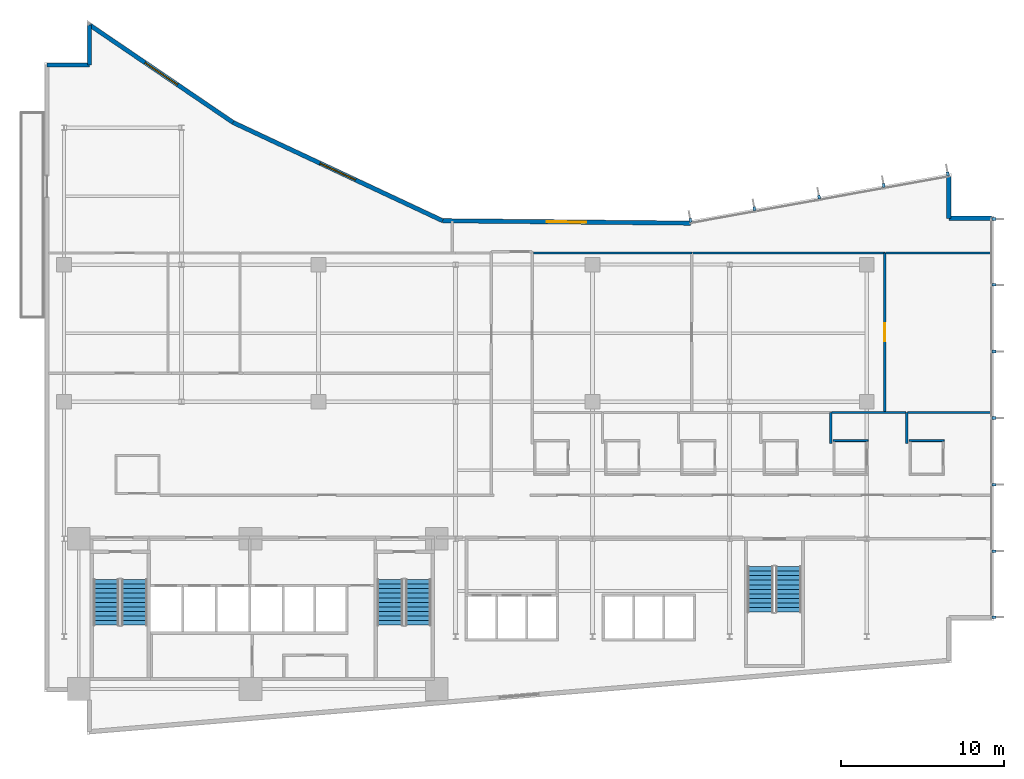
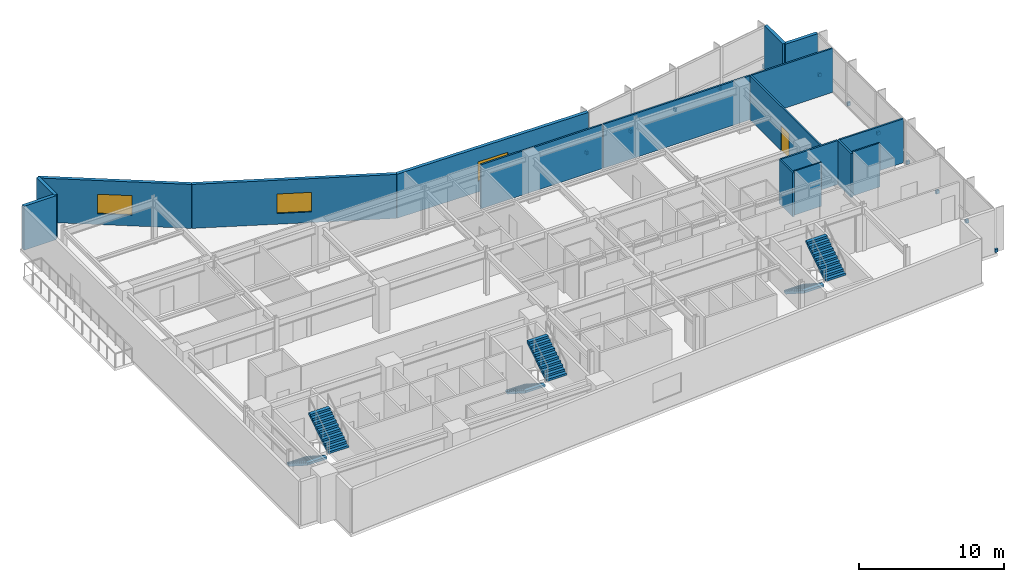
# One storey, part 15 of 20: 17 walls, 12 discrete accessories, 6 stair flights, 3 windows, 1 door, 4 openings, 3 elements without a shape of their own.
"""IFC4 building model written with IfcOpenShell, lengths in metres."""

from ifc_helpers import new_model, si_unit, direction, frame, frame_2d, origin, origin_2d, place, context, subcontext, project, spatial, polyline, rectangle, outline, extrude, material, layer, layer_set, type_object, element, fill, aggregate, save


model = new_model("IFC4")

# Units and contexts
model_context = context("Model", 3, precision=1e-05, world=origin(), true_north=direction((0.0, 1.0)))
body_context = subcontext(model_context, "Body", "Model", "MODEL_VIEW")
ifc_project = project(units=[si_unit("LENGTHUNIT", "METRE"), si_unit("AREAUNIT", "SQUARE_METRE"), si_unit("VOLUMEUNIT", "CUBIC_METRE"), si_unit("PLANEANGLEUNIT", "RADIAN"), si_unit("MASSUNIT", "GRAM", prefix="KILO")], contexts=[model_context])

# Site, building, storey
site_placement = place(None, origin())
site = spatial("IfcSite", under=ifc_project, at=site_placement, CompositionType="ELEMENT")
building_placement = place(site_placement, origin())
building = spatial("IfcBuilding", under=site, at=building_placement, Name="Varnakote Quay Hospital", CompositionType="ELEMENT")
storey_placement = place(building_placement, frame((0.0, 0.0, 81.75)))
storey = spatial("IfcBuildingStorey", under=building, at=storey_placement, Name="L20", CompositionType="ELEMENT", Elevation=81.75)

# Walls
ifc_material_1 = material(Name="Moisture-resistant bathroom partition", Category="gypsum")
ifc_layer_1 = layer(ifc_material_1, 0.114990234375)
ifc_layer_set_1 = layer_set([ifc_layer_1], Name="Moisture-resistant bathroom partition")
wall_type_1 = type_object("IfcWallType", Name="WL-ENS-115", PredefinedType="PARTITIONING", material=ifc_layer_set_1)
for number, where, z_axis, x_axis, name in (
    (1, (48.344970703125, 18.017578125, 0.0), (0.0, 0.0, 1.0), (1.0, 0.0, 0.0), "L20 Inpatient En-Suite Bathroom 05 N Wall"),
    (2, (53.0048828125, 18.017578125, 0.0), (0.0, 0.0, 1.0), (1.0, 0.0, 0.0), "L20 Inpatient En-Suite Bathroom 06 N Wall"),
):
    element("IfcWall", number, at=place(storey_placement, frame(where, z_axis=z_axis, x_axis=x_axis)), inside=storey, type_object=wall_type_1, Name=name, PredefinedType="PARTITIONING", context=body_context, shape_type="SweptSolid", body=[
        extrude(rectangle(XDim=2.150146484375, YDim=0.114990234375, at=frame_2d((1.0751953125, 0.0))), origin(), (0.0, 0.0, 1.0), 3.7099609375),
    ])
ifc_material_2 = material(Name="Precast concrete N50 (f'c 50 MPa)", Category="concrete")
ifc_layer_2 = layer(ifc_material_2, 0.260009765625)
ifc_layer_set_2 = layer_set([ifc_layer_2], Name="Precast concrete N50 (f'c 50 MPa)")
wall_type_2 = type_object("IfcWallType", Name="WL-EXT-BRICK-260", PredefinedType="STANDARD", material=ifc_layer_set_2)
wall_1_placement = place(storey_placement, frame((58.0400390625, 31.639892578125, 0.0), z_axis=(0.0, 0.0, 1.0), x_axis=(-1.0, 0.0, 0.0)))
element("IfcWall", 3, at=wall_1_placement, inside=storey, type_object=wall_type_2, Name="L20 Brick-Faced Precast Exterior Wall", PredefinedType="STANDARD", context=body_context, shape_type="SweptSolid", body=[
    extrude(rectangle(XDim=2.60009765625, YDim=0.260009765625, at=frame_2d((1.300048828125, 0.0))), origin(), (0.0, 0.0, 1.0), 3.7099609375),
])
wall_2_placement = place(storey_placement, frame((55.43994140625, 31.639892578125, 0.0), z_axis=(0.0, 0.0, 1.0), x_axis=(0.0, 1.0, 0.0)))
element("IfcWall", 4, at=wall_2_placement, inside=storey, type_object=wall_type_2, Name="L20 Brick-Faced Precast Exterior Wall", PredefinedType="STANDARD", context=body_context, shape_type="SweptSolid", body=[
    extrude(rectangle(XDim=2.568603515625, YDim=0.260009765625, at=frame_2d((1.2841796875, 0.0))), origin(), (0.0, 0.0, 1.0), 3.7099609375),
])

# Wall, opening, window
wall_3_placement = place(storey_placement, frame((39.589599609375, 31.343994140625, 0.0), z_axis=(0.0, 0.0, 1.0), x_axis=(-0.999952362926, 0.009760731435, 0.0)))
wall_3 = element("IfcWall", 5, at=wall_3_placement, inside=storey, type_object=wall_type_2, Name="L20 Brick-Faced Precast Exterior Wall", PredefinedType="STANDARD", context=body_context, shape_type="SweptSolid", body=[
    extrude(rectangle(XDim=15.1826171875, YDim=0.260009765625, at=frame_2d((7.59130859375, 0.0))), origin(), (0.0, 0.0, 1.0), 3.7099609375),
])
opening_1_placement = place(wall_3_placement, frame((6.391357421875, 0.0, 0.89990234375)))
opening_1 = element("IfcOpeningElement", 6, at=opening_1_placement, cuts=wall_3, Name="Opening WN-0095", PredefinedType="OPENING", context=body_context, shape_type="SweptSolid", body=[
    extrude(rectangle(XDim=2.39990234375, YDim=1.64990234375, at=frame_2d((1.199951171875, 0.824951171875))), frame((0.0, 0.139892578125, 0.0), z_axis=(0.0, -1.0, 0.0), x_axis=(1.0, 0.0, 0.0)), (0.0, 0.0, 1.0), 0.280029296875),
])
ifc_material_3 = material(Name="Double-glazed low-E solar glass", Category="glass")
window_type = type_object("IfcWindowType", Name="WIN-CLIN-2400x1650", PartitioningType="SINGLE_PANEL", PredefinedType="WINDOW", material=ifc_material_3)
window_1_placement = place(opening_1_placement, origin())
window_1 = element("IfcWindow", 7, at=window_1_placement, inside=storey, type_object=window_type, Name="L20 Solar-Control Clinical Window", OverallHeight=1.64990234375, OverallWidth=2.39990234375, PartitioningType="SINGLE_PANEL", PredefinedType="WINDOW", context=body_context, shape_type="SweptSolid", body=[
    extrude(rectangle(XDim=2.39990234375, YDim=1.64990234375, at=frame_2d((1.199951171875, 0.824951171875))), frame((0.0, 0.030029296875, 0.0), z_axis=(0.0, -1.0, 0.0), x_axis=(1.0, 0.0, 0.0)), (0.0, 0.0, 1.0), 0.06005859375),
])
fill(opening_1, window_1)

wall_4_placement = place(storey_placement, frame((24.40771484375, 31.4921875, 0.0), z_axis=(0.0, 0.0, 1.0), x_axis=(-0.905396522918, 0.424566998585, 0.0)))
wall_4 = element("IfcWall", 8, at=wall_4_placement, inside=storey, type_object=wall_type_2, Name="L20 Brick-Faced Precast Exterior Wall", PredefinedType="STANDARD", context=body_context, shape_type="SweptSolid", body=[
    extrude(rectangle(XDim=14.189453125, YDim=0.260009765625, at=frame_2d((7.0947265625, 0.0))), origin(), (0.0, 0.0, 1.0), 3.7099609375),
])
opening_2_placement = place(wall_4_placement, frame((5.894775390625, 0.0, 0.89990234375)))
opening_2 = element("IfcOpeningElement", 9, at=opening_2_placement, cuts=wall_4, Name="Opening WN-0096", PredefinedType="OPENING", context=body_context, shape_type="SweptSolid", body=[
    extrude(rectangle(XDim=2.39990234375, YDim=1.64990234375, at=frame_2d((1.199951171875, 0.824951171875))), frame((0.0, 0.139892578125, 0.0), z_axis=(0.0, -1.0, 0.0), x_axis=(1.0, 0.0, 0.0)), (0.0, 0.0, 1.0), 0.280029296875),
])
window_2_placement = place(opening_2_placement, origin())
window_2 = element("IfcWindow", 10, at=window_2_placement, inside=storey, type_object=window_type, Name="L20 Solar-Control Clinical Window", OverallHeight=1.64990234375, OverallWidth=2.39990234375, PartitioningType="SINGLE_PANEL", PredefinedType="WINDOW", context=body_context, shape_type="SweptSolid", body=[
    extrude(rectangle(XDim=2.39990234375, YDim=1.64990234375, at=frame_2d((1.199951171875, 0.824951171875))), frame((0.0, 0.030029296875, 0.0), z_axis=(0.0, -1.0, 0.0), x_axis=(1.0, 0.0, 0.0)), (0.0, 0.0, 1.0), 0.06005859375),
])
fill(opening_2, window_2)

wall_5_placement = place(storey_placement, frame((11.560546875, 37.5166015625, 0.0), z_axis=(0.0, 0.0, 1.0), x_axis=(-0.827064743936, 0.562106670782, 0.0)))
wall_5 = element("IfcWall", 11, at=wall_5_placement, inside=storey, type_object=wall_type_2, Name="L20 Brick-Faced Precast Exterior Wall", PredefinedType="STANDARD", context=body_context, shape_type="SweptSolid", body=[
    extrude(rectangle(XDim=10.640625, YDim=0.260009765625, at=frame_2d((5.3203125, 0.0))), origin(), (0.0, 0.0, 1.0), 3.7099609375),
])
opening_3_placement = place(wall_5_placement, frame((4.120361328125, 0.0, 0.89990234375)))
opening_3 = element("IfcOpeningElement", 12, at=opening_3_placement, cuts=wall_5, Name="Opening WN-0097", PredefinedType="OPENING", context=body_context, shape_type="SweptSolid", body=[
    extrude(rectangle(XDim=2.39990234375, YDim=1.64990234375, at=frame_2d((1.199951171875, 0.824951171875))), frame((0.0, 0.139892578125, 0.0), z_axis=(0.0, -1.0, 0.0), x_axis=(1.0, 0.0, 0.0)), (0.0, 0.0, 1.0), 0.280029296875),
])
window_3_placement = place(opening_3_placement, origin())
window_3 = element("IfcWindow", 13, at=window_3_placement, inside=storey, type_object=window_type, Name="L20 Solar-Control Clinical Window", OverallHeight=1.64990234375, OverallWidth=2.39990234375, PartitioningType="SINGLE_PANEL", PredefinedType="WINDOW", context=body_context, shape_type="SweptSolid", body=[
    extrude(rectangle(XDim=2.39990234375, YDim=1.64990234375, at=frame_2d((1.199951171875, 0.824951171875))), frame((0.0, 0.030029296875, 0.0), z_axis=(0.0, -1.0, 0.0), x_axis=(1.0, 0.0, 0.0)), (0.0, 0.0, 1.0), 0.06005859375),
])
fill(opening_3, window_3)

# Walls
wall_6_placement = place(storey_placement, frame((2.760009765625, 43.497802734375, 0.0), z_axis=(0.0, 0.0, 1.0), x_axis=(0.0, -1.0, 0.0)))
element("IfcWall", 14, at=wall_6_placement, inside=storey, type_object=wall_type_2, Name="L20 Brick-Faced Precast Exterior Wall", PredefinedType="STANDARD", context=body_context, shape_type="SweptSolid", body=[
    extrude(rectangle(XDim=2.457763671875, YDim=0.260009765625, at=frame_2d((1.22900390625, 0.0))), origin(), (0.0, 0.0, 1.0), 3.7099609375),
])
wall_7_placement = place(storey_placement, frame((2.760009765625, 41.0400390625, 0.0), z_axis=(0.0, 0.0, 1.0), x_axis=(-1.0, 0.0, 0.0)))
element("IfcWall", 15, at=wall_7_placement, inside=storey, type_object=wall_type_2, Name="L20 Brick-Faced Precast Exterior Wall", PredefinedType="STANDARD", context=body_context, shape_type="SweptSolid", body=[
    extrude(rectangle(XDim=2.60009765625, YDim=0.260009765625, at=frame_2d((1.300048828125, 0.0))), origin(), (0.0, 0.0, 1.0), 3.7099609375),
])
ifc_material_4 = material(Name="Smoke-proof clinical partition", Category="gypsum")
ifc_layer_3 = layer(ifc_material_4, 0.135009765625)
ifc_layer_set_3 = layer_set([ifc_layer_3], Name="Smoke-proof clinical partition")
wall_type_3 = type_object("IfcWallType", Name="WL-SMOKE-135", PredefinedType="PARTITIONING", material=ifc_layer_set_3)
for number, where, z_axis, x_axis, name in (
    (16, (48.199951171875, 17.83251953125, 0.0), (0.0, 0.0, 1.0), (0.0, 1.0, 0.0), "L20 Clinical Interior Partition"),
    (17, (52.860107421875, 17.83251953125, 0.0), (0.0, 0.0, 1.0), (0.0, 1.0, 0.0), "L20 Clinical Interior Partition"),
):
    element("IfcWall", number, at=place(storey_placement, frame(where, z_axis=z_axis, x_axis=x_axis)), inside=storey, type_object=wall_type_3, Name=name, PredefinedType="PARTITIONING", context=body_context, shape_type="SweptSolid", body=[
        extrude(rectangle(XDim=1.907470703125, YDim=0.135009765625, at=frame_2d((0.95361328125, 0.0))), origin(), (0.0, 0.0, 1.0), 3.7099609375),
    ])
wall_8_placement = place(storey_placement, frame((52.802490234375, 19.739990234375, 0.0), z_axis=(0.0, 0.0, 1.0), x_axis=(-1.0, 0.0, 0.0)))
element("IfcWall", 18, at=wall_8_placement, inside=storey, type_object=wall_type_3, Name="L20 Clinical Interior Partition", PredefinedType="PARTITIONING", context=body_context, shape_type="SweptSolid", body=[
    extrude(rectangle(XDim=4.544921875, YDim=0.135009765625, at=frame_2d((2.2724609375, 0.0))), origin(), (0.0, 0.0, 1.0), 3.7099609375),
])
wall_9_placement = place(storey_placement, frame((58.0400390625, 19.739990234375, 0.0), z_axis=(0.0, 0.0, 1.0), x_axis=(-1.0, 0.0, 0.0)))
element("IfcWall", 19, at=wall_9_placement, inside=storey, type_object=wall_type_3, Name="L20 Clinical Interior Partition", PredefinedType="PARTITIONING", context=body_context, shape_type="SweptSolid", body=[
    extrude(rectangle(XDim=5.12255859375, YDim=0.135009765625, at=frame_2d((2.561279296875, 0.0))), origin(), (0.0, 0.0, 1.0), 3.7099609375),
])
wall_10_placement = place(storey_placement, frame((39.679931640625, 29.52001953125, 0.0), z_axis=(0.0, 0.0, 1.0), x_axis=(-1.0, 0.0, 0.0)))
element("IfcWall", 20, at=wall_10_placement, inside=storey, type_object=wall_type_3, Name="L20 Clinical Interior Partition", PredefinedType="PARTITIONING", context=body_context, shape_type="SweptSolid", body=[
    extrude(rectangle(XDim=9.71484375, YDim=0.135009765625, at=frame_2d((4.857421875, 0.0))), origin(), (0.0, 0.0, 1.0), 3.7099609375),
])

# Wall, opening, door
wall_11_placement = place(storey_placement, frame((51.510009765625, 19.797607421875, 0.0), z_axis=(0.0, 0.0, 1.0), x_axis=(0.0, 1.0, 0.0)))
wall_11 = element("IfcWall", 21, at=wall_11_placement, inside=storey, type_object=wall_type_3, Name="L20 Clinical Interior Partition", PredefinedType="PARTITIONING", context=body_context, shape_type="SweptSolid", body=[
    extrude(rectangle(XDim=9.722412109375, YDim=0.135009765625, at=frame_2d((4.861328125, 0.0))), origin(), (0.0, 0.0, 1.0), 3.7099609375),
])
opening_4_placement = place(wall_11_placement, frame((4.311279296875, 0.0, 0.0)))
opening_4 = element("IfcOpeningElement", 22, at=opening_4_placement, cuts=wall_11, Name="Opening D-L20-MD05", PredefinedType="OPENING", context=body_context, shape_type="SweptSolid", body=[
    extrude(rectangle(XDim=1.10009765625, YDim=2.10009765625, at=frame_2d((0.550048828125, 1.050048828125))), frame((0.0, 0.077392578125, 0.0), z_axis=(0.0, -1.0, 0.0), x_axis=(1.0, 0.0, 0.0)), (0.0, 0.0, 1.0), 0.155029296875),
])
ifc_material_5 = material(Name="Acoustic timber clinical consult door", Category="wood")
door_type = type_object("IfcDoorType", Name="DR-CLIN-FD30S-1100x2100", OperationType="NOTDEFINED", PredefinedType="DOOR", material=ifc_material_5)
door_placement = place(opening_4_placement, origin())
door = element("IfcDoor", 23, at=door_placement, inside=storey, type_object=door_type, Name="L20 Outpatient Specialist Consult Office Door", OperationType="SINGLE_SWING_RIGHT", OverallHeight=2.10009765625, OverallWidth=1.10009765625, PredefinedType="DOOR", context=body_context, shape_type="SweptSolid", body=[
    extrude(rectangle(XDim=1.10009765625, YDim=2.10009765625, at=frame_2d((0.550048828125, 1.050048828125))), frame((0.0, 0.02490234375, 0.0), z_axis=(0.0, -1.0, 0.0), x_axis=(1.0, 0.0, 0.0)), (0.0, 0.0, 1.0), 0.050048828125),
])
fill(opening_4, door)

# Walls
wall_12_placement = place(storey_placement, frame((51.510009765625, 29.52001953125, 0.0), z_axis=(0.0, 0.0, 1.0), x_axis=(-1.0, 0.0, 0.0)))
element("IfcWall", 24, at=wall_12_placement, inside=storey, type_object=wall_type_3, Name="L20 Clinical Interior Partition", PredefinedType="PARTITIONING", context=body_context, shape_type="SweptSolid", body=[
    extrude(rectangle(XDim=11.7724609375, YDim=0.135009765625, at=frame_2d((5.88623046875, 0.0))), origin(), (0.0, 0.0, 1.0), 3.7099609375),
])
wall_13_placement = place(storey_placement, frame((58.0400390625, 29.52001953125, 0.0), z_axis=(0.0, 0.0, 1.0), x_axis=(-1.0, 0.0, 0.0)))
element("IfcWall", 25, at=wall_13_placement, inside=storey, type_object=wall_type_3, Name="L20 Clinical Interior Partition", PredefinedType="PARTITIONING", context=body_context, shape_type="SweptSolid", body=[
    extrude(rectangle(XDim=6.47265625, YDim=0.135009765625, at=frame_2d((3.236328125, 0.0))), origin(), (0.0, 0.0, 1.0), 3.7099609375),
])

# Stair, stair flights
ifc_material_6 = material(Name="Concrete N40 (f'c 40 MPa)", Category="concrete")
stair_type = type_object("IfcStairType", Name="STR-CORE-1580", PredefinedType="HALF_TURN_STAIR", material=ifc_material_6)
stair_1_placement = place(storey_placement, origin())
stair_1 = element("IfcStair", 26, at=stair_1_placement, inside=storey, type_object=stair_type, Name="L20 Fire-Isolated Exit Stair ST-01", PredefinedType="HALF_TURN_STAIR")
ifc_material_7 = material(Name="Concrete N40 (f'c 40 MPa)", Category="concrete")
ifc_layer_4 = layer(ifc_material_7, 0.159912109375)
ifc_layer_set_4 = layer_set([ifc_layer_4], Name="Concrete N40 (f'c 40 MPa)")
stair_flight_type = type_object("IfcStairFlightType", Name="FLT-CORE-1580", PredefinedType="STRAIGHT", material=ifc_layer_set_4)
stair_flight_1_placement = place(storey_placement, frame((3.7900390625, 9.5, 0.0), z_axis=(0.0, 0.0, 1.0), x_axis=(0.0, -1.0, 0.0)))
stair_flight_1 = element("IfcStairFlight", 27, at=stair_flight_1_placement, type_object=stair_flight_type, Name="ST-01 flight 1", NumberOfRisers=11, NumberOfTreads=10, PredefinedType="STRAIGHT", RiserHeight=0.179545455, TreadLength=0.28, context=body_context, shape_type="SweptSolid", body=[
    extrude(outline(polyline([(0.0, 0.0), (0.0, 0.179443359375), (0.280029296875, 0.179443359375), (0.280029296875, 0.359130859375), (0.56005859375, 0.359130859375), (0.56005859375, 0.53857421875), (0.840087890625, 0.53857421875), (0.840087890625, 0.71826171875), (1.1201171875, 0.71826171875), (1.1201171875, 0.897705078125), (1.39990234375, 0.897705078125), (1.39990234375, 1.077392578125), (1.679931640625, 1.077392578125), (1.679931640625, 1.2568359375), (1.9599609375, 1.2568359375), (1.9599609375, 1.436279296875), (2.239990234375, 1.436279296875), (2.239990234375, 1.615966796875), (2.52001953125, 1.615966796875), (2.52001953125, 1.79541015625), (2.800048828125, 1.79541015625), (2.800048828125, 1.97509765625), (2.800048828125, 1.60546875), (0.296142578125, 0.0), (0.0, 0.0)])), frame((0.0, 0.7900390625, 0.0), z_axis=(0.0, -1.0, 0.0), x_axis=(1.0, 0.0, 0.0)), (0.0, 0.0, 1.0), 1.580078125),
])
stair_flight_2_placement = place(storey_placement, frame((5.510009765625, 6.699951171875, 1.97509765625), z_axis=(0.0, 0.0, 1.0), x_axis=(0.0, 1.0, 0.0)))
stair_flight_2 = element("IfcStairFlight", 28, at=stair_flight_2_placement, type_object=stair_flight_type, Name="ST-01 flight 2", NumberOfRisers=11, NumberOfTreads=10, PredefinedType="STRAIGHT", RiserHeight=0.179545455, TreadLength=0.28, context=body_context, shape_type="SweptSolid", body=[
    extrude(outline(polyline([(0.0, 0.0), (0.0, 0.179443359375), (0.280029296875, 0.179443359375), (0.280029296875, 0.359130859375), (0.56005859375, 0.359130859375), (0.56005859375, 0.53857421875), (0.840087890625, 0.53857421875), (0.840087890625, 0.71826171875), (1.1201171875, 0.71826171875), (1.1201171875, 0.897705078125), (1.39990234375, 0.897705078125), (1.39990234375, 1.077392578125), (1.679931640625, 1.077392578125), (1.679931640625, 1.2568359375), (1.9599609375, 1.2568359375), (1.9599609375, 1.436279296875), (2.239990234375, 1.436279296875), (2.239990234375, 1.615966796875), (2.52001953125, 1.615966796875), (2.52001953125, 1.79541015625), (2.800048828125, 1.79541015625), (2.800048828125, 1.97509765625), (2.800048828125, 1.60546875), (0.296142578125, 0.0), (0.0, 0.0)])), frame((0.0, 0.7900390625, 0.0), z_axis=(0.0, -1.0, 0.0), x_axis=(1.0, 0.0, 0.0)), (0.0, 0.0, 1.0), 1.580078125),
])
aggregate(stair_1, [stair_flight_1, stair_flight_2])

stair_2_placement = place(storey_placement, origin())
stair_2 = element("IfcStair", 29, at=stair_2_placement, inside=storey, type_object=stair_type, Name="L20 Fire-Isolated Exit Stair ST-02", PredefinedType="HALF_TURN_STAIR")
stair_flight_3_placement = place(storey_placement, frame((21.18994140625, 9.5, 0.0), z_axis=(0.0, 0.0, 1.0), x_axis=(0.0, -1.0, 0.0)))
stair_flight_3 = element("IfcStairFlight", 30, at=stair_flight_3_placement, type_object=stair_flight_type, Name="ST-02 flight 1", NumberOfRisers=11, NumberOfTreads=10, PredefinedType="STRAIGHT", RiserHeight=0.179545455, TreadLength=0.28, context=body_context, shape_type="SweptSolid", body=[
    extrude(outline(polyline([(0.0, 0.0), (0.0, 0.179443359375), (0.280029296875, 0.179443359375), (0.280029296875, 0.359130859375), (0.56005859375, 0.359130859375), (0.56005859375, 0.53857421875), (0.840087890625, 0.53857421875), (0.840087890625, 0.71826171875), (1.1201171875, 0.71826171875), (1.1201171875, 0.897705078125), (1.39990234375, 0.897705078125), (1.39990234375, 1.077392578125), (1.679931640625, 1.077392578125), (1.679931640625, 1.2568359375), (1.9599609375, 1.2568359375), (1.9599609375, 1.436279296875), (2.239990234375, 1.436279296875), (2.239990234375, 1.615966796875), (2.52001953125, 1.615966796875), (2.52001953125, 1.79541015625), (2.800048828125, 1.79541015625), (2.800048828125, 1.97509765625), (2.800048828125, 1.60546875), (0.296142578125, 0.0), (0.0, 0.0)])), frame((0.0, 0.7900390625, 0.0), z_axis=(0.0, -1.0, 0.0), x_axis=(1.0, 0.0, 0.0)), (0.0, 0.0, 1.0), 1.580078125),
])
stair_flight_4_placement = place(storey_placement, frame((22.909912109375, 6.699951171875, 1.97509765625), z_axis=(0.0, 0.0, 1.0), x_axis=(0.0, 1.0, 0.0)))
stair_flight_4 = element("IfcStairFlight", 31, at=stair_flight_4_placement, type_object=stair_flight_type, Name="ST-02 flight 2", NumberOfRisers=11, NumberOfTreads=10, PredefinedType="STRAIGHT", RiserHeight=0.179545455, TreadLength=0.28, context=body_context, shape_type="SweptSolid", body=[
    extrude(outline(polyline([(0.0, 0.0), (0.0, 0.179443359375), (0.280029296875, 0.179443359375), (0.280029296875, 0.359130859375), (0.56005859375, 0.359130859375), (0.56005859375, 0.53857421875), (0.840087890625, 0.53857421875), (0.840087890625, 0.71826171875), (1.1201171875, 0.71826171875), (1.1201171875, 0.897705078125), (1.39990234375, 0.897705078125), (1.39990234375, 1.077392578125), (1.679931640625, 1.077392578125), (1.679931640625, 1.2568359375), (1.9599609375, 1.2568359375), (1.9599609375, 1.436279296875), (2.239990234375, 1.436279296875), (2.239990234375, 1.615966796875), (2.52001953125, 1.615966796875), (2.52001953125, 1.79541015625), (2.800048828125, 1.79541015625), (2.800048828125, 1.97509765625), (2.800048828125, 1.60546875), (0.296142578125, 0.0), (0.0, 0.0)])), frame((0.0, 0.7900390625, 0.0), z_axis=(0.0, -1.0, 0.0), x_axis=(1.0, 0.0, 0.0)), (0.0, 0.0, 1.0), 1.580078125),
])
aggregate(stair_2, [stair_flight_3, stair_flight_4])

stair_3_placement = place(storey_placement, origin())
stair_3 = element("IfcStair", 32, at=stair_3_placement, inside=storey, type_object=stair_type, Name="L20 Fire-Isolated Exit Stair ST-03", PredefinedType="HALF_TURN_STAIR")
stair_flight_5_placement = place(storey_placement, frame((43.889892578125, 10.300048828125, 0.0), z_axis=(0.0, 0.0, 1.0), x_axis=(0.0, -1.0, 0.0)))
stair_flight_5 = element("IfcStairFlight", 33, at=stair_flight_5_placement, type_object=stair_flight_type, Name="ST-03 flight 1", NumberOfRisers=11, NumberOfTreads=10, PredefinedType="STRAIGHT", RiserHeight=0.179545455, TreadLength=0.28, context=body_context, shape_type="SweptSolid", body=[
    extrude(outline(polyline([(0.0, 0.0), (0.0, 0.179443359375), (0.280029296875, 0.179443359375), (0.280029296875, 0.359130859375), (0.56005859375, 0.359130859375), (0.56005859375, 0.53857421875), (0.840087890625, 0.53857421875), (0.840087890625, 0.71826171875), (1.1201171875, 0.71826171875), (1.1201171875, 0.897705078125), (1.39990234375, 0.897705078125), (1.39990234375, 1.077392578125), (1.679931640625, 1.077392578125), (1.679931640625, 1.2568359375), (1.9599609375, 1.2568359375), (1.9599609375, 1.436279296875), (2.239990234375, 1.436279296875), (2.239990234375, 1.615966796875), (2.52001953125, 1.615966796875), (2.52001953125, 1.79541015625), (2.800048828125, 1.79541015625), (2.800048828125, 1.97509765625), (2.800048828125, 1.60546875), (0.296142578125, 0.0), (0.0, 0.0)])), frame((0.0, 0.7900390625, 0.0), z_axis=(0.0, -1.0, 0.0), x_axis=(1.0, 0.0, 0.0)), (0.0, 0.0, 1.0), 1.580078125),
])
stair_flight_6_placement = place(storey_placement, frame((45.610107421875, 7.5, 1.97509765625), z_axis=(0.0, 0.0, 1.0), x_axis=(0.0, 1.0, 0.0)))
stair_flight_6 = element("IfcStairFlight", 34, at=stair_flight_6_placement, type_object=stair_flight_type, Name="ST-03 flight 2", NumberOfRisers=11, NumberOfTreads=10, PredefinedType="STRAIGHT", RiserHeight=0.179545455, TreadLength=0.28, context=body_context, shape_type="SweptSolid", body=[
    extrude(outline(polyline([(0.0, 0.0), (0.0, 0.179443359375), (0.280029296875, 0.179443359375), (0.280029296875, 0.359130859375), (0.56005859375, 0.359130859375), (0.56005859375, 0.53857421875), (0.840087890625, 0.53857421875), (0.840087890625, 0.71826171875), (1.1201171875, 0.71826171875), (1.1201171875, 0.897705078125), (1.39990234375, 0.897705078125), (1.39990234375, 1.077392578125), (1.679931640625, 1.077392578125), (1.679931640625, 1.2568359375), (1.9599609375, 1.2568359375), (1.9599609375, 1.436279296875), (2.239990234375, 1.436279296875), (2.239990234375, 1.615966796875), (2.52001953125, 1.615966796875), (2.52001953125, 1.79541015625), (2.800048828125, 1.79541015625), (2.800048828125, 1.97509765625), (2.800048828125, 1.60546875), (0.296142578125, 0.0), (0.0, 0.0)])), frame((0.0, 0.7900390625, 0.0), z_axis=(0.0, -1.0, 0.0), x_axis=(1.0, 0.0, 0.0)), (0.0, 0.0, 1.0), 1.580078125),
])
aggregate(stair_3, [stair_flight_5, stair_flight_6])

# Discrete accessories
ifc_material_8 = material(Name="Anodised aluminium 6063-T6 Bronze", Category="aluminium")
discrete_accessory_type = type_object("IfcDiscreteAccessoryType", Name="ACC-FIN-BRACKET-180", PredefinedType="BRACKET", material=ifc_material_8)
for number, where, z_axis, x_axis, name in (
    (35, (58.2099609375, 7.197509765625, 0.0), (0.0, 0.0, 1.0), (0.0, 1.0, 0.0), "L20 Curtain Wall Fin Fixing Bracket"),
    (36, (58.2099609375, 11.239990234375, 0.0), (0.0, 0.0, 1.0), (0.0, 1.0, 0.0), "L20 Curtain Wall Fin Fixing Bracket"),
    (37, (58.2099609375, 15.320068359375, 0.0), (0.0, 0.0, 1.0), (0.0, 1.0, 0.0), "L20 Curtain Wall Fin Fixing Bracket"),
    (38, (58.2099609375, 19.39990234375, 0.0), (0.0, 0.0, 1.0), (0.0, 1.0, 0.0), "L20 Curtain Wall Fin Fixing Bracket"),
    (39, (58.2099609375, 23.47998046875, 0.0), (0.0, 0.0, 1.0), (0.0, 1.0, 0.0), "L20 Curtain Wall Fin Fixing Bracket"),
    (40, (58.2099609375, 27.56005859375, 0.0), (0.0, 0.0, 1.0), (0.0, 1.0, 0.0), "L20 Curtain Wall Fin Fixing Bracket"),
    (41, (58.2099609375, 31.6025390625, 0.0), (0.0, 0.0, 1.0), (0.0, 1.0, 0.0), "L20 Curtain Wall Fin Fixing Bracket"),
    (42, (55.372802734375, 34.369140625, 0.0), (0.0, 0.0, 1.0), (-0.984071739666, -0.177771795263, 0.0), "L20 Curtain Wall Fin Fixing Bracket"),
    (43, (51.447265625, 33.65966796875, 0.0), (0.0, 0.0, 1.0), (-0.984071739666, -0.177771795263, 0.0), "L20 Curtain Wall Fin Fixing Bracket"),
    (44, (47.484619140625, 32.943603515625, 0.0), (0.0, 0.0, 1.0), (-0.984071739666, -0.177771795263, 0.0), "L20 Curtain Wall Fin Fixing Bracket"),
    (45, (43.52197265625, 32.227294921875, 0.0), (0.0, 0.0, 1.0), (-0.984071739666, -0.177771795263, 0.0), "L20 Curtain Wall Fin Fixing Bracket"),
    (46, (39.59619140625, 31.517822265625, 0.0), (0.0, 0.0, 1.0), (-0.984071739666, -0.177771795263, 0.0), "L20 Curtain Wall Fin Fixing Bracket"),
):
    element("IfcDiscreteAccessory", number, at=place(storey_placement, frame(where, z_axis=z_axis, x_axis=x_axis)), inside=storey, type_object=discrete_accessory_type, Name=name, PredefinedType="BRACKET", context=body_context, shape_type="SweptSolid", body=[
        extrude(rectangle(XDim=0.159912109375, YDim=0.239990234375, at=origin_2d()), origin(), (0.0, 0.0, 1.0), 0.280029296875),
    ])

save(model, "model.ifc")
